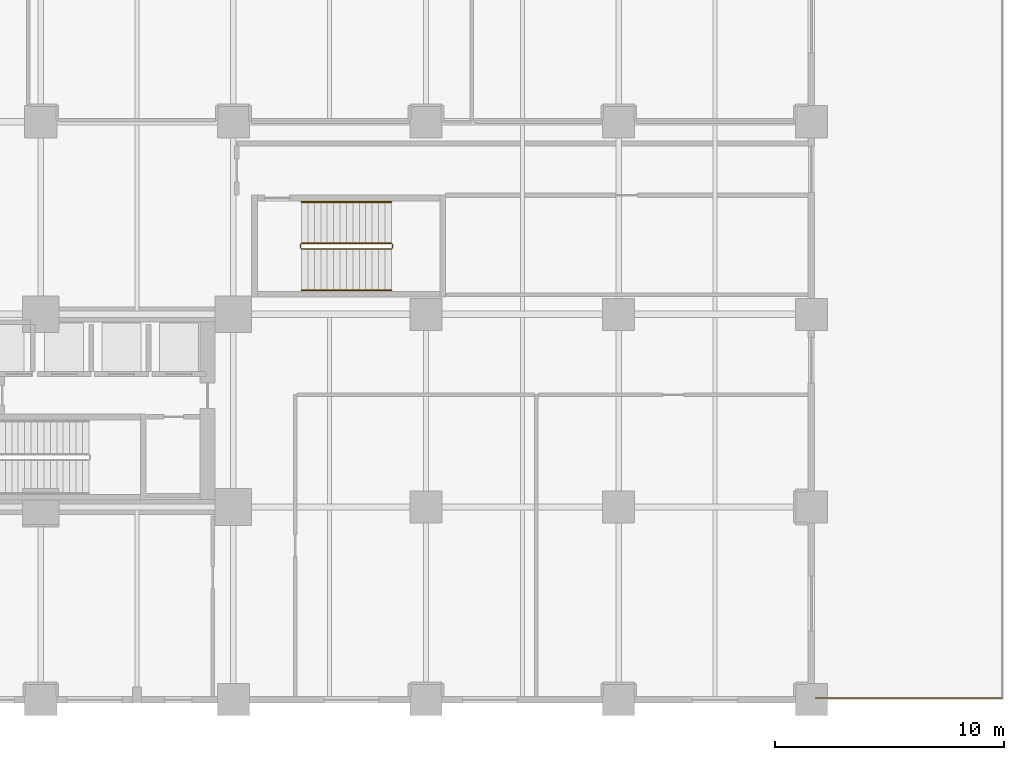
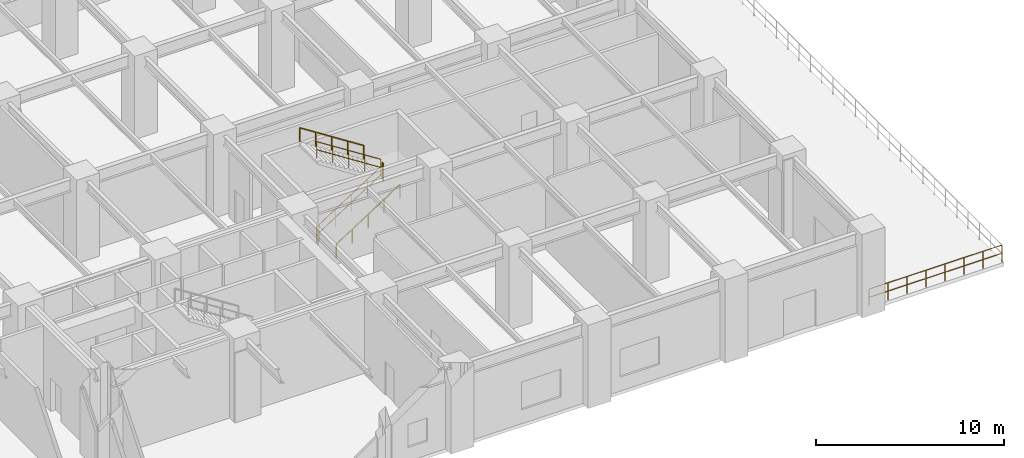
# One storey, part 10 of 13: 7 railings.
"""IFC4 building model written with IfcOpenShell, lengths in metres."""

from ifc_helpers import new_model, si_unit, direction, frame, origin, origin_2d, place, context, subcontext, project, spatial, circle, extrude, material, type_object, element, save


model = new_model("IFC4")

# Units and contexts
model_context = context("Model", 3, precision=1e-05, world=origin(), true_north=direction((0.0, 1.0)))
body_context = subcontext(model_context, "Body", "Model", "MODEL_VIEW")
ifc_project = project(units=[si_unit("LENGTHUNIT", "METRE"), si_unit("AREAUNIT", "SQUARE_METRE"), si_unit("VOLUMEUNIT", "CUBIC_METRE"), si_unit("PLANEANGLEUNIT", "RADIAN"), si_unit("MASSUNIT", "GRAM", prefix="KILO")], contexts=[model_context])

# Site, building, storey
site_placement = place(None, origin())
site = spatial("IfcSite", under=ifc_project, at=site_placement, CompositionType="ELEMENT")
building_placement = place(site_placement, origin())
building = spatial("IfcBuilding", under=site, at=building_placement, Name="Nerrivon Quay Data Exchange", CompositionType="ELEMENT")
storey_placement = place(building_placement, origin())
storey = spatial("IfcBuildingStorey", under=building, at=storey_placement, Name="L00", CompositionType="ELEMENT", Elevation=0.0)

# Railings
ifc_material = material(Name="Steel Grade C350L0 (350 MPa)", Category="steel")
railing_type_1 = type_object("IfcRailingType", Name="RAIL-GUARD-GR2", PredefinedType="BALUSTRADE", material=ifc_material)
railing_1_placement = place(storey_placement, frame((67.1201171875, 0.080078125, 0.0)))
element("IfcRailing", 1, at=railing_1_placement, inside=storey, type_object=railing_type_1, Name="L00 Terrace Perimeter Guard 1.1 1", PredefinedType="BALUSTRADE", context=body_context, shape_type="SweptSolid", body=[
    extrude(circle(Radius=0.02392578125, at=origin_2d()), frame((0.0, 0.0, 1.09619140625), z_axis=(-1.0, 0.0, 0.0), x_axis=(0.0, -1.0, 0.0)), (0.0, 0.0, 1.0), 8.14013671875),
    extrude(circle(Radius=0.02392578125, at=origin_2d()), frame((0.0, 0.0, 0.56005859375), z_axis=(-1.0, 0.0, 0.0), x_axis=(0.0, -1.0, 0.0)), (0.0, 0.0, 1.0), 8.14013671875),
    extrude(circle(Radius=0.02099609375, at=origin_2d()), origin(), (0.0, 0.0, 1.0), 1.072021484375),
    extrude(circle(Radius=0.02099609375, at=origin_2d()), frame((-1.162841796875, 0.0, 0.0)), (0.0, 0.0, 1.0), 1.072021484375),
    extrude(circle(Radius=0.02099609375, at=origin_2d()), frame((-2.32568359375, 0.0, 0.0)), (0.0, 0.0, 1.0), 1.072021484375),
    extrude(circle(Radius=0.02099609375, at=origin_2d()), frame((-3.488525390625, 0.0, 0.0)), (0.0, 0.0, 1.0), 1.072021484375),
    extrude(circle(Radius=0.02099609375, at=origin_2d()), frame((-4.651611328125, 0.0, 0.0)), (0.0, 0.0, 1.0), 1.072021484375),
    extrude(circle(Radius=0.02099609375, at=origin_2d()), frame((-5.814453125, 0.0, 0.0)), (0.0, 0.0, 1.0), 1.072021484375),
    extrude(circle(Radius=0.02099609375, at=origin_2d()), frame((-6.977294921875, 0.0, 0.0)), (0.0, 0.0, 1.0), 1.072021484375),
    extrude(circle(Radius=0.02099609375, at=origin_2d()), frame((-8.14013671875, 0.0, 0.0)), (0.0, 0.0, 1.0), 1.072021484375),
])
railing_type_2 = type_object("IfcRailingType", Name="RAIL-HAND-HR1", PredefinedType="HANDRAIL", material=ifc_material)
railing_2_placement = place(storey_placement, frame((36.570068359375, 17.85009765625, 0.179931640625)))
element("IfcRailing", 2, at=railing_2_placement, inside=storey, type_object=railing_type_2, Name="L00 ST03 stair handrail 1", PredefinedType="HANDRAIL", context=body_context, shape_type="SweptSolid", body=[
    extrude(circle(Radius=0.02392578125, at=origin_2d()), frame((0.0, 0.0, 0.8759765625), z_axis=(0.841171666519, 0.0, 0.540768182723), x_axis=(0.0, 1.0, 0.0)), (0.0, 0.0, 1.0), 4.66015625),
    extrude(circle(Radius=0.02099609375, at=origin_2d()), origin(), (0.0, 0.0, 1.0), 0.851806640625),
    extrude(circle(Radius=0.02099609375, at=origin_2d()), frame((0.97998046875, 0.0, 0.6298828125)), (0.0, 0.0, 1.0), 0.851806640625),
    extrude(circle(Radius=0.02099609375, at=origin_2d()), frame((1.9599609375, 0.0, 1.260009765625)), (0.0, 0.0, 1.0), 0.851806640625),
    extrude(circle(Radius=0.02099609375, at=origin_2d()), frame((2.93994140625, 0.0, 1.89013671875)), (0.0, 0.0, 1.0), 0.851806640625),
    extrude(circle(Radius=0.02099609375, at=origin_2d()), frame((3.919921875, 0.0, 2.52001953125)), (0.0, 0.0, 1.0), 0.851806640625),
])
railing_3_placement = place(storey_placement, frame((40.489990234375, 21.699951171875, 2.8798828125)))
element("IfcRailing", 3, at=railing_3_placement, inside=storey, type_object=railing_type_2, Name="L00 ST03 stair handrail 2", PredefinedType="HANDRAIL", context=body_context, shape_type="SweptSolid", body=[
    extrude(circle(Radius=0.02392578125, at=origin_2d()), frame((0.0, 0.0, 0.8759765625), z_axis=(-0.841171666519, 0.0, 0.540768182723), x_axis=(0.0, -1.0, 0.0)), (0.0, 0.0, 1.0), 4.66015625),
    extrude(circle(Radius=0.02099609375, at=origin_2d()), origin(), (0.0, 0.0, 1.0), 0.851806640625),
    extrude(circle(Radius=0.02099609375, at=origin_2d()), frame((-0.97998046875, 0.0, 0.6298828125)), (0.0, 0.0, 1.0), 0.851806640625),
    extrude(circle(Radius=0.02099609375, at=origin_2d()), frame((-1.9599609375, 0.0, 1.260009765625)), (0.0, 0.0, 1.0), 0.851806640625),
    extrude(circle(Radius=0.02099609375, at=origin_2d()), frame((-2.93994140625, 0.0, 1.89013671875)), (0.0, 0.0, 1.0), 0.851806640625),
    extrude(circle(Radius=0.02099609375, at=origin_2d()), frame((-3.919921875, 0.0, 2.52001953125)), (0.0, 0.0, 1.0), 0.851806640625),
])
railing_type_3 = type_object("IfcRailingType", Name="RAIL-STAIR-GR1", PredefinedType="BALUSTRADE", material=ifc_material)
railing_4_placement = place(storey_placement, frame((36.570068359375, 19.64990234375, 0.179931640625)))
element("IfcRailing", 4, at=railing_4_placement, inside=storey, type_object=railing_type_3, Name="L00 ST03 stair guard 1", PredefinedType="BALUSTRADE", context=body_context, shape_type="SweptSolid", body=[
    extrude(circle(Radius=0.02392578125, at=origin_2d()), frame((0.0, 0.0, 1.076171875), z_axis=(0.841171666519, 0.0, 0.540768182723), x_axis=(0.0, 1.0, 0.0)), (0.0, 0.0, 1.0), 4.66015625),
    extrude(circle(Radius=0.02392578125, at=origin_2d()), frame((0.0, 0.0, 0.550048828125), z_axis=(0.841171666519, 0.0, 0.540768182723), x_axis=(0.0, 1.0, 0.0)), (0.0, 0.0, 1.0), 4.66015625),
    extrude(circle(Radius=0.02099609375, at=origin_2d()), origin(), (0.0, 0.0, 1.0), 1.052001953125),
    extrude(circle(Radius=0.02099609375, at=origin_2d()), frame((0.97998046875, 0.0, 0.6298828125)), (0.0, 0.0, 1.0), 1.052001953125),
    extrude(circle(Radius=0.02099609375, at=origin_2d()), frame((1.9599609375, 0.0, 1.260009765625)), (0.0, 0.0, 1.0), 1.052001953125),
    extrude(circle(Radius=0.02099609375, at=origin_2d()), frame((2.93994140625, 0.0, 1.89013671875)), (0.0, 0.0, 1.0), 1.052001953125),
    extrude(circle(Radius=0.02099609375, at=origin_2d()), frame((3.919921875, 0.0, 2.52001953125)), (0.0, 0.0, 1.0), 1.052001953125),
])
railing_5_placement = place(storey_placement, frame((40.5400390625, 19.699951171875, 2.699951171875)))
element("IfcRailing", 5, at=railing_5_placement, inside=storey, type_object=railing_type_3, Name="L00 ST03 stair guard 2", PredefinedType="BALUSTRADE", context=body_context, shape_type="SweptSolid", body=[
    extrude(circle(Radius=0.02392578125, at=origin_2d()), frame((0.0, 0.0, 1.076171875), z_axis=(0.0, 1.0, 0.0), x_axis=(-1.0, 0.0, 0.0)), (0.0, 0.0, 1.0), 0.150146484375),
    extrude(circle(Radius=0.02392578125, at=origin_2d()), frame((0.0, 0.0, 0.550048828125), z_axis=(0.0, 1.0, 0.0), x_axis=(-1.0, 0.0, 0.0)), (0.0, 0.0, 1.0), 0.150146484375),
    extrude(circle(Radius=0.02099609375, at=origin_2d()), origin(), (0.0, 0.0, 1.0), 1.052001953125),
    extrude(circle(Radius=0.02099609375, at=origin_2d()), frame((0.0, 0.150146484375, 0.0)), (0.0, 0.0, 1.0), 1.052001953125),
])
railing_6_placement = place(storey_placement, frame((40.489990234375, 19.89990234375, 2.8798828125)))
element("IfcRailing", 6, at=railing_6_placement, inside=storey, type_object=railing_type_3, Name="L00 ST03 stair guard 3", PredefinedType="BALUSTRADE", context=body_context, shape_type="SweptSolid", body=[
    extrude(circle(Radius=0.02392578125, at=origin_2d()), frame((0.0, 0.0, 1.076171875), z_axis=(-0.841171666519, 0.0, 0.540768182723), x_axis=(0.0, -1.0, 0.0)), (0.0, 0.0, 1.0), 4.66015625),
    extrude(circle(Radius=0.02392578125, at=origin_2d()), frame((0.0, 0.0, 0.550048828125), z_axis=(-0.841171666519, 0.0, 0.540768182723), x_axis=(0.0, -1.0, 0.0)), (0.0, 0.0, 1.0), 4.66015625),
    extrude(circle(Radius=0.02099609375, at=origin_2d()), origin(), (0.0, 0.0, 1.0), 1.052001953125),
    extrude(circle(Radius=0.02099609375, at=origin_2d()), frame((-0.97998046875, 0.0, 0.6298828125)), (0.0, 0.0, 1.0), 1.052001953125),
    extrude(circle(Radius=0.02099609375, at=origin_2d()), frame((-1.9599609375, 0.0, 1.260009765625)), (0.0, 0.0, 1.0), 1.052001953125),
    extrude(circle(Radius=0.02099609375, at=origin_2d()), frame((-2.93994140625, 0.0, 1.89013671875)), (0.0, 0.0, 1.0), 1.052001953125),
    extrude(circle(Radius=0.02099609375, at=origin_2d()), frame((-3.919921875, 0.0, 2.52001953125)), (0.0, 0.0, 1.0), 1.052001953125),
])
railing_7_placement = place(storey_placement, frame((36.52001953125, 19.699951171875, 0.0)))
element("IfcRailing", 7, at=railing_7_placement, inside=storey, type_object=railing_type_3, Name="L00 ST03 stair guard 4", PredefinedType="BALUSTRADE", context=body_context, shape_type="SweptSolid", body=[
    extrude(circle(Radius=0.02392578125, at=origin_2d()), frame((0.0, 0.0, 1.076171875), z_axis=(0.0, 1.0, 0.0), x_axis=(-1.0, 0.0, 0.0)), (0.0, 0.0, 1.0), 0.150146484375),
    extrude(circle(Radius=0.02392578125, at=origin_2d()), frame((0.0, 0.0, 0.550048828125), z_axis=(0.0, 1.0, 0.0), x_axis=(-1.0, 0.0, 0.0)), (0.0, 0.0, 1.0), 0.150146484375),
    extrude(circle(Radius=0.02099609375, at=origin_2d()), origin(), (0.0, 0.0, 1.0), 1.052001953125),
    extrude(circle(Radius=0.02099609375, at=origin_2d()), frame((0.0, 0.150146484375, 0.0)), (0.0, 0.0, 1.0), 1.052001953125),
])

save(model, "model.ifc")
